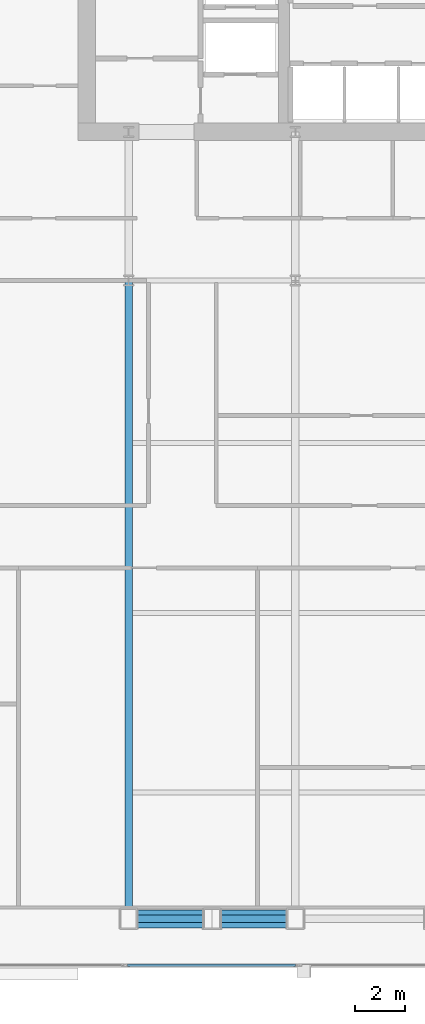
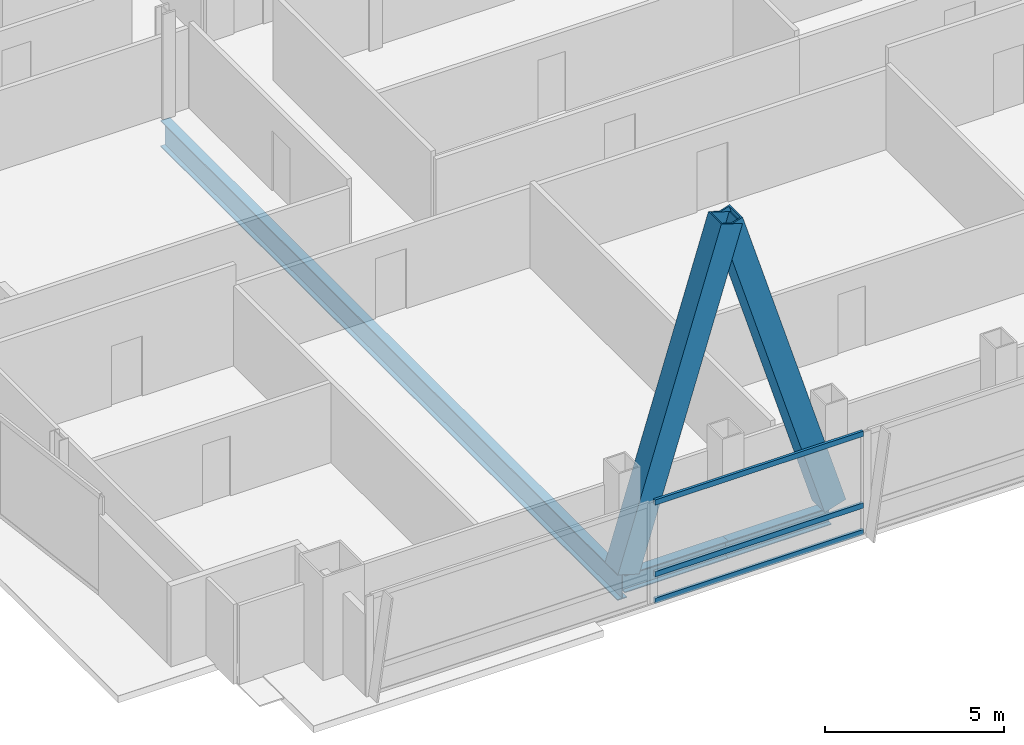
# One storey, part 7 of 30: 5 members, 3 beams, 1 element without a shape of its own.
"""IFC4 building model written with IfcOpenShell, lengths in metres."""

from ifc_helpers import new_model, si_unit, direction, frame, origin, origin_2d, place, context, subcontext, project, spatial, hollow_rectangle, i_section, extrude, material, material_profile, profile_set, type_object, element, aggregate, save


model = new_model("IFC4")

# Units and contexts
model_context = context("Model", 3, precision=1e-05, world=origin(), true_north=direction((0.0, 1.0)))
body_context = subcontext(model_context, "Body", "Model", "MODEL_VIEW")
ifc_project = project(units=[si_unit("LENGTHUNIT", "METRE"), si_unit("AREAUNIT", "SQUARE_METRE"), si_unit("VOLUMEUNIT", "CUBIC_METRE"), si_unit("PLANEANGLEUNIT", "RADIAN"), si_unit("MASSUNIT", "GRAM", prefix="KILO")], contexts=[model_context])

# Site, building, storey
site_placement = place(None, origin())
site = spatial("IfcSite", under=ifc_project, at=site_placement, CompositionType="ELEMENT")
building_placement = place(site_placement, origin())
building = spatial("IfcBuilding", under=site, at=building_placement, Name="Khoronbel Lancet Exchange", CompositionType="ELEMENT")
storey_placement = place(building_placement, frame((0.0, 0.0, 136.199951171875)))
storey = spatial("IfcBuildingStorey", under=building, at=storey_placement, Name="L33", CompositionType="ELEMENT", Elevation=136.199951171875)

# Beams
ifc_material_1 = material(Name="Steel S355", Category="steel")
ifc_material_profile_1 = material_profile(ifc_material_1, i_section(OverallWidth=0.300048828125, OverallDepth=0.89990234375, WebThickness=0.0185546875, FlangeThickness=0.034912109375, at=origin_2d()), Name="HEB 900")
ifc_profile_set_1 = profile_set([ifc_material_profile_1], Name="Steel S355")
beam_type_1 = type_object("IfcBeamType", Name="BM-BG1", PredefinedType="BEAM", material=ifc_profile_set_1)
beam_placement = place(storey_placement, frame((18.22509765625, 10.14990234375, -0.60986328125), z_axis=(0.0, 1.0, 0.0), x_axis=(-1.0, 0.0, 0.0)))
element("IfcBeam", 1, at=beam_placement, inside=storey, type_object=beam_type_1, Name="Level L33 south primary girder GS1", PredefinedType="BEAM", context=body_context, shape_type="SweptSolid", body=[
    extrude(i_section(OverallWidth=0.300048828125, OverallDepth=0.89990234375, WebThickness=0.0185546875, FlangeThickness=0.034912109375, at=origin_2d()), origin(), (0.0, 0.0, 1.0), 25.550048828125),
])
ifc_material_profile_2 = material_profile(ifc_material_1, i_section(OverallWidth=0.300048828125, OverallDepth=0.60009765625, WebThickness=0.015380859375, FlangeThickness=0.030029296875, at=origin_2d()), Name="HEB 600")
ifc_profile_set_2 = profile_set([ifc_material_profile_2], Name="Steel S355")
beam_type_2 = type_object("IfcBeamType", Name="BM-BSP2", PredefinedType="SPANDREL", material=ifc_profile_set_2)
for number, where, z_axis, x_axis, name in (
    (2, (18.22509765625, 10.14990234375, -0.4599609375), (1.0, 0.0, 0.0), (0.0, 1.0, 0.0), "Level L33 perimeter spandrel beam SP01"),
    (3, (21.5625, 10.14990234375, -0.4599609375), (1.0, 0.0, 0.0), (0.0, 1.0, 0.0), "Level L33 perimeter spandrel beam SP02"),
):
    element("IfcBeam", number, at=place(storey_placement, frame(where, z_axis=z_axis, x_axis=x_axis)), inside=storey, type_object=beam_type_2, Name=name, PredefinedType="SPANDREL", context=body_context, shape_type="SweptSolid", body=[
        extrude(i_section(OverallWidth=0.300048828125, OverallDepth=0.60009765625, WebThickness=0.015380859375, FlangeThickness=0.030029296875, at=origin_2d()), origin(), (0.0, 0.0, 1.0), 3.33740234375),
    ])

# Curtain wall, members
ifc_material_2 = material(Name="Low-E Solar Control Insulating Glass", Category="glass")
curtain_wall_type = type_object("IfcCurtainWallType", Name="CW-3", PredefinedType="NOTDEFINED", material=ifc_material_2)
curtain_wall_placement = place(storey_placement, origin())
curtain_wall = element("IfcCurtainWall", 4, at=curtain_wall_placement, inside=storey, type_object=curtain_wall_type, Name="Unitised curtain wall CW-L33-SWB", PredefinedType="NOTDEFINED")
ifc_material_3 = material(Name="Bronze-Anodised Aluminium 6063-T6", Category="aluminium")
ifc_material_profile_3 = material_profile(ifc_material_3, hollow_rectangle(XDim=0.0849609375, YDim=0.179931640625, WallThickness=0.0048828125, at=origin_2d()), Name="ALU TRANSOM 85x180")
ifc_profile_set_3 = profile_set([ifc_material_profile_3], Name="Bronze-Anodised Aluminium 6063-T6")
member_type_1 = type_object("IfcMemberType", Name="MEM-CWT1", PredefinedType="USERDEFINED", material=ifc_profile_set_3)
member_1_placement = place(storey_placement, frame((18.18505859375, 8.2900390625, 0.04248046875), z_axis=(1.0, 0.0, 0.0), x_axis=(0.0, 1.0, 0.0)))
member_1 = element("IfcMember", 5, at=member_1_placement, type_object=member_type_1, Name="CW3 transom 1.1", ObjectType="TRANSOM", PredefinedType="USERDEFINED", context=body_context, shape_type="SweptSolid", body=[
    extrude(hollow_rectangle(XDim=0.0849609375, YDim=0.179931640625, WallThickness=0.0048828125, at=origin_2d()), origin(), (0.0, 0.0, 1.0), 6.72998046875),
])
member_2_placement = place(storey_placement, frame((18.18505859375, 8.2900390625, 0.949951171875), z_axis=(1.0, 0.0, 0.0), x_axis=(0.0, 1.0, 0.0)))
member_2 = element("IfcMember", 6, at=member_2_placement, type_object=member_type_1, Name="CW3 transom 1.2", ObjectType="TRANSOM", PredefinedType="USERDEFINED", context=body_context, shape_type="SweptSolid", body=[
    extrude(hollow_rectangle(XDim=0.0849609375, YDim=0.179931640625, WallThickness=0.0048828125, at=origin_2d()), origin(), (0.0, 0.0, 1.0), 6.72998046875),
])
member_3_placement = place(storey_placement, frame((18.18505859375, 8.2900390625, 3.3974609375), z_axis=(1.0, 0.0, 0.0), x_axis=(0.0, 1.0, 0.0)))
member_3 = element("IfcMember", 7, at=member_3_placement, type_object=member_type_1, Name="CW3 transom 1.3", ObjectType="TRANSOM", PredefinedType="USERDEFINED", context=body_context, shape_type="SweptSolid", body=[
    extrude(hollow_rectangle(XDim=0.0849609375, YDim=0.179931640625, WallThickness=0.0048828125, at=origin_2d()), origin(), (0.0, 0.0, 1.0), 6.72998046875),
])
aggregate(curtain_wall, [member_1, member_2, member_3])

# Members
ifc_material_4 = material(Name="Steel S460", Category="steel")
ifc_material_profile_4 = material_profile(ifc_material_4, hollow_rectangle(XDim=0.719970703125, YDim=0.719970703125, WallThickness=0.050048828125, at=origin_2d()), Name="BOX 720x720x50")
ifc_profile_set_4 = profile_set([ifc_material_profile_4], Name="Steel S460")
member_type_2 = type_object("IfcMemberType", Name="MEM-MB2", PredefinedType="BRACE", material=ifc_profile_set_4)
for number, where, z_axis, x_axis, name in (
    (8, (18.22509765625, 10.14990234375, 0.0), (0.295242108906, 0.0, 0.955422470496), (0.0, 1.0, 0.0), "Perimeter lancet brace tier 11 S-W-L"),
    (9, (24.89990234375, 10.14990234375, 0.0), (-0.295242108906, 0.0, 0.955422470496), (0.0, -1.0, 0.0), "Perimeter lancet brace tier 11 S-W-R"),
):
    element("IfcMember", number, at=place(storey_placement, frame(where, z_axis=z_axis, x_axis=x_axis)), inside=storey, type_object=member_type_2, Name=name, PredefinedType="BRACE", context=body_context, shape_type="SweptSolid", body=[
        extrude(hollow_rectangle(XDim=0.719970703125, YDim=0.719970703125, WallThickness=0.050048828125, at=origin_2d()), origin(), (0.0, 0.0, 1.0), 11.303955078125),
    ])

save(model, "model.ifc")
